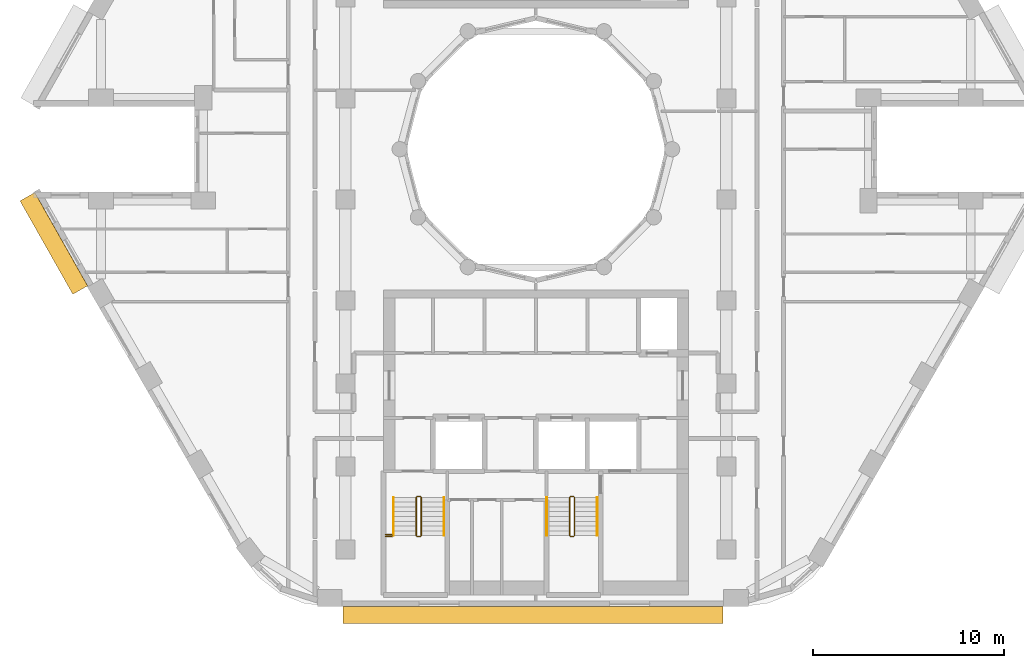
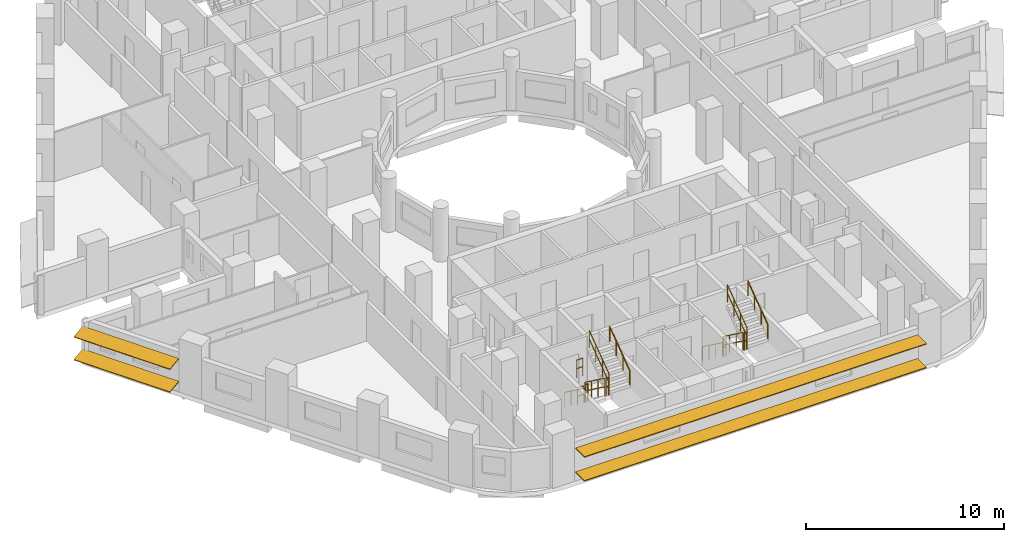
# One storey, part 12 of 14: 14 railings, 4 shading devices.
"""IFC4 building model written with IfcOpenShell, lengths in metres."""

from ifc_helpers import new_model, si_unit, direction, frame, origin, origin_2d, place, context, subcontext, project, spatial, rectangle, circle, extrude, material, material_profile, profile_set, type_object, element, save


model = new_model("IFC4")

# Units and contexts
model_context = context("Model", 3, precision=1e-05, world=origin(), true_north=direction((0.0, 1.0)))
body_context = subcontext(model_context, "Body", "Model", "MODEL_VIEW")
ifc_project = project(units=[si_unit("LENGTHUNIT", "METRE"), si_unit("AREAUNIT", "SQUARE_METRE"), si_unit("VOLUMEUNIT", "CUBIC_METRE"), si_unit("PLANEANGLEUNIT", "RADIAN"), si_unit("MASSUNIT", "GRAM", prefix="KILO")], contexts=[model_context])

# Site, building, storey
site_placement = place(None, origin())
site = spatial("IfcSite", under=ifc_project, at=site_placement, CompositionType="ELEMENT")
building_placement = place(site_placement, origin())
building = spatial("IfcBuilding", under=site, at=building_placement, Name="Nakaniwa Court", CompositionType="ELEMENT")
storey_placement = place(building_placement, frame((0.0, 0.0, 160.199951171875)))
storey = spatial("IfcBuildingStorey", under=building, at=storey_placement, Name="L42", CompositionType="ELEMENT", Elevation=160.199951171875)

# Shading devices
ifc_material_1 = material(Name="Perforated charcoal ceramic louvre blade")
ifc_material_profile = material_profile(ifc_material_1, rectangle(XDim=0.89990234375, YDim=0.050048828125, at=origin_2d()), Name="Perforated ceramic louvre blade")
ifc_profile_set = profile_set([ifc_material_profile], Name="Perforated charcoal ceramic louvre blade")
shading_device_type = type_object("IfcShadingDeviceType", Name="Perforated ceramic louvre blade", PredefinedType="JALOUSIE", material=ifc_profile_set)
for number, where, z_axis, x_axis, name in (
    (1, (53.31689453125, 77.5078125, 0.550048828125), (0.49253187421, -0.870294405869, 0.0), (0.862649339692, 0.488205247786, 0.132256390257), "L42 perforated ceramic louvre blade w20 1"),
    (2, (53.31689453125, 77.5078125, 1.955810546875), (0.49253187421, -0.870294405869, 0.0), (0.862649339692, 0.488205247786, 0.132256390257), "L42 perforated ceramic louvre blade w20 2"),
):
    element("IfcShadingDevice", number, at=place(storey_placement, frame(where, z_axis=z_axis, x_axis=x_axis)), inside=storey, type_object=shading_device_type, Name=name, PredefinedType="JALOUSIE", context=body_context, shape_type="SweptSolid", body=[
        extrude(rectangle(XDim=0.89990234375, YDim=0.050048828125, at=origin_2d()), origin(), (0.0, 0.0, 1.0), 5.62646484375),
    ])
for number, where, z_axis, x_axis, name in (
    (3, (69.871337890625, 55.550048828125, 0.550048828125), (1.0, 0.0, 0.0), (0.0, 1.0, 0.0), "L42 perforated ceramic louvre blade w26 1"),
    (4, (69.871337890625, 55.550048828125, 2.01513671875), (1.0, 0.0, 0.0), (0.0, 1.0, 0.0), "L42 perforated ceramic louvre blade w26 2"),
):
    element("IfcShadingDevice", number, at=place(storey_placement, frame(where, z_axis=z_axis, x_axis=x_axis)), inside=storey, type_object=shading_device_type, Name=name, PredefinedType="JALOUSIE", context=body_context, shape_type="SweptSolid", body=[
        extrude(rectangle(XDim=0.89990234375, YDim=0.050048828125, at=origin_2d()), origin(), (0.0, 0.0, 1.0), 19.939697265625),
    ])

# Railings
ifc_material_2 = material(Name="Black powder coated steel guard", Category="steel")
railing_type_1 = type_object("IfcRailingType", Name="Stair guard 1100", PredefinedType="GUARDRAIL", material=ifc_material_2)
railing_1_placement = place(storey_placement, frame((73.72509765625, 61.72509765625, 0.183349609375)))
element("IfcRailing", 5, at=railing_1_placement, inside=storey, type_object=railing_type_1, Name="L42 ST3 stair guard 1", PredefinedType="GUARDRAIL", context=body_context, shape_type="SweptSolid", body=[
    extrude(circle(Radius=0.02392578125, at=origin_2d()), frame((0.0, 0.0, 1.076171875), z_axis=(0.0, -0.806379959628, 0.591397802423), x_axis=(1.0, 0.0, 0.0)), (0.0, 0.0, 1.0), 2.480224609375),
    extrude(circle(Radius=0.02392578125, at=origin_2d()), frame((0.0, 0.0, 0.550048828125), z_axis=(0.0, -0.806379959628, 0.591397802423), x_axis=(1.0, 0.0, 0.0)), (0.0, 0.0, 1.0), 2.480224609375),
    extrude(circle(Radius=0.02099609375, at=origin_2d()), origin(), (0.0, 0.0, 1.0), 1.052001953125),
    extrude(circle(Radius=0.02099609375, at=origin_2d()), frame((0.0, -0.666748046875, 0.489013671875)), (0.0, 0.0, 1.0), 1.052001953125),
    extrude(circle(Radius=0.02099609375, at=origin_2d()), frame((0.0, -1.333251953125, 0.977783203125)), (0.0, 0.0, 1.0), 1.052001953125),
    extrude(circle(Radius=0.02099609375, at=origin_2d()), frame((0.0, -2.0, 1.466796875)), (0.0, 0.0, 1.0), 1.052001953125),
])
railing_2_placement = place(storey_placement, frame((73.77490234375, 59.675048828125, 1.650146484375)))
element("IfcRailing", 6, at=railing_2_placement, inside=storey, type_object=railing_type_1, Name="L42 ST3 stair guard 2", PredefinedType="GUARDRAIL", context=body_context, shape_type="SweptSolid", body=[
    extrude(circle(Radius=0.02392578125, at=origin_2d()), frame((0.0, 0.0, 1.076171875), z_axis=(1.0, 0.0, 0.0), x_axis=(0.0, 1.0, 0.0)), (0.0, 0.0, 1.0), 0.150146484375),
    extrude(circle(Radius=0.02392578125, at=origin_2d()), frame((0.0, 0.0, 0.550048828125), z_axis=(1.0, 0.0, 0.0), x_axis=(0.0, 1.0, 0.0)), (0.0, 0.0, 1.0), 0.150146484375),
    extrude(circle(Radius=0.02099609375, at=origin_2d()), origin(), (0.0, 0.0, 1.0), 1.052001953125),
    extrude(circle(Radius=0.02099609375, at=origin_2d()), frame((0.150146484375, 0.0, 0.0)), (0.0, 0.0, 1.0), 1.052001953125),
])
railing_3_placement = place(storey_placement, frame((73.97509765625, 59.72509765625, 1.83349609375)))
element("IfcRailing", 7, at=railing_3_placement, inside=storey, type_object=railing_type_1, Name="L42 ST3 stair guard 3", PredefinedType="GUARDRAIL", context=body_context, shape_type="SweptSolid", body=[
    extrude(circle(Radius=0.02392578125, at=origin_2d()), frame((0.0, 0.0, 1.076171875), z_axis=(0.0, 0.806426902644, 0.591333789573), x_axis=(-1.0, 0.0, 0.0)), (0.0, 0.0, 1.0), 2.47998046875),
    extrude(circle(Radius=0.02392578125, at=origin_2d()), frame((0.0, 0.0, 0.550048828125), z_axis=(0.0, 0.806426902644, 0.591333789573), x_axis=(-1.0, 0.0, 0.0)), (0.0, 0.0, 1.0), 2.47998046875),
    extrude(circle(Radius=0.02099609375, at=origin_2d()), origin(), (0.0, 0.0, 1.0), 1.052001953125),
    extrude(circle(Radius=0.02099609375, at=origin_2d()), frame((0.0, 0.666748046875, 0.48876953125)), (0.0, 0.0, 1.0), 1.052001953125),
    extrude(circle(Radius=0.02099609375, at=origin_2d()), frame((0.0, 1.333251953125, 0.977783203125)), (0.0, 0.0, 1.0), 1.052001953125),
    extrude(circle(Radius=0.02099609375, at=origin_2d()), frame((0.0, 2.0, 1.466552734375)), (0.0, 0.0, 1.0), 1.052001953125),
])
railing_4_placement = place(storey_placement, frame((73.77490234375, 61.77490234375, 0.0)))
element("IfcRailing", 8, at=railing_4_placement, inside=storey, type_object=railing_type_1, Name="L42 ST3 stair guard 4", PredefinedType="GUARDRAIL", context=body_context, shape_type="SweptSolid", body=[
    extrude(circle(Radius=0.02392578125, at=origin_2d()), frame((0.0, 0.0, 1.076171875), z_axis=(1.0, 0.0, 0.0), x_axis=(0.0, 1.0, 0.0)), (0.0, 0.0, 1.0), 0.150146484375),
    extrude(circle(Radius=0.02392578125, at=origin_2d()), frame((0.0, 0.0, 0.550048828125), z_axis=(1.0, 0.0, 0.0), x_axis=(0.0, 1.0, 0.0)), (0.0, 0.0, 1.0), 0.150146484375),
    extrude(circle(Radius=0.02099609375, at=origin_2d()), origin(), (0.0, 0.0, 1.0), 1.052001953125),
    extrude(circle(Radius=0.02099609375, at=origin_2d()), frame((0.150146484375, 0.0, 0.0)), (0.0, 0.0, 1.0), 1.052001953125),
])
for number, where, name in (
    (9, (72.125, 59.675048828125, 1.650146484375), "L42 ST3 landing side guard 1W"),
    (10, (72.125, 59.77490234375, 3.300048828125), "L42 ST3 floor edge guard 1W"),
):
    element("IfcRailing", number, at=place(storey_placement, frame(where)), inside=storey, type_object=railing_type_1, Name=name, PredefinedType="GUARDRAIL", context=body_context, shape_type="SweptSolid", body=[
        extrude(circle(Radius=0.02392578125, at=origin_2d()), frame((0.0, 0.0, 1.076171875), z_axis=(1.0, 0.0, 0.0), x_axis=(0.0, 1.0, 0.0)), (0.0, 0.0, 1.0), 0.35009765625),
        extrude(circle(Radius=0.02392578125, at=origin_2d()), frame((0.0, 0.0, 0.550048828125), z_axis=(1.0, 0.0, 0.0), x_axis=(0.0, 1.0, 0.0)), (0.0, 0.0, 1.0), 0.35009765625),
        extrude(circle(Radius=0.02099609375, at=origin_2d()), origin(), (0.0, 0.0, 1.0), 1.052001953125),
        extrude(circle(Radius=0.02099609375, at=origin_2d()), frame((0.35009765625, 0.0, 0.0)), (0.0, 0.0, 1.0), 1.052001953125),
    ])
railing_5_placement = place(storey_placement, frame((81.77490234375, 61.72509765625, 0.183349609375)))
element("IfcRailing", 11, at=railing_5_placement, inside=storey, type_object=railing_type_1, Name="L42 ST4 stair guard 1", PredefinedType="GUARDRAIL", context=body_context, shape_type="SweptSolid", body=[
    extrude(circle(Radius=0.02392578125, at=origin_2d()), frame((0.0, 0.0, 1.076171875), z_axis=(0.0, -0.806379959628, 0.591397802423), x_axis=(1.0, 0.0, 0.0)), (0.0, 0.0, 1.0), 2.480224609375),
    extrude(circle(Radius=0.02392578125, at=origin_2d()), frame((0.0, 0.0, 0.550048828125), z_axis=(0.0, -0.806379959628, 0.591397802423), x_axis=(1.0, 0.0, 0.0)), (0.0, 0.0, 1.0), 2.480224609375),
    extrude(circle(Radius=0.02099609375, at=origin_2d()), origin(), (0.0, 0.0, 1.0), 1.052001953125),
    extrude(circle(Radius=0.02099609375, at=origin_2d()), frame((0.0, -0.666748046875, 0.489013671875)), (0.0, 0.0, 1.0), 1.052001953125),
    extrude(circle(Radius=0.02099609375, at=origin_2d()), frame((0.0, -1.333251953125, 0.977783203125)), (0.0, 0.0, 1.0), 1.052001953125),
    extrude(circle(Radius=0.02099609375, at=origin_2d()), frame((0.0, -2.0, 1.466796875)), (0.0, 0.0, 1.0), 1.052001953125),
])
railing_6_placement = place(storey_placement, frame((81.824951171875, 59.675048828125, 1.650146484375)))
element("IfcRailing", 12, at=railing_6_placement, inside=storey, type_object=railing_type_1, Name="L42 ST4 stair guard 2", PredefinedType="GUARDRAIL", context=body_context, shape_type="SweptSolid", body=[
    extrude(circle(Radius=0.02392578125, at=origin_2d()), frame((0.0, 0.0, 1.076171875), z_axis=(1.0, 0.0, 0.0), x_axis=(0.0, 1.0, 0.0)), (0.0, 0.0, 1.0), 0.150146484375),
    extrude(circle(Radius=0.02392578125, at=origin_2d()), frame((0.0, 0.0, 0.550048828125), z_axis=(1.0, 0.0, 0.0), x_axis=(0.0, 1.0, 0.0)), (0.0, 0.0, 1.0), 0.150146484375),
    extrude(circle(Radius=0.02099609375, at=origin_2d()), origin(), (0.0, 0.0, 1.0), 1.052001953125),
    extrude(circle(Radius=0.02099609375, at=origin_2d()), frame((0.150146484375, 0.0, 0.0)), (0.0, 0.0, 1.0), 1.052001953125),
])
railing_7_placement = place(storey_placement, frame((82.02490234375, 59.72509765625, 1.83349609375)))
element("IfcRailing", 13, at=railing_7_placement, inside=storey, type_object=railing_type_1, Name="L42 ST4 stair guard 3", PredefinedType="GUARDRAIL", context=body_context, shape_type="SweptSolid", body=[
    extrude(circle(Radius=0.02392578125, at=origin_2d()), frame((0.0, 0.0, 1.076171875), z_axis=(0.0, 0.806426902644, 0.591333789573), x_axis=(-1.0, 0.0, 0.0)), (0.0, 0.0, 1.0), 2.47998046875),
    extrude(circle(Radius=0.02392578125, at=origin_2d()), frame((0.0, 0.0, 0.550048828125), z_axis=(0.0, 0.806426902644, 0.591333789573), x_axis=(-1.0, 0.0, 0.0)), (0.0, 0.0, 1.0), 2.47998046875),
    extrude(circle(Radius=0.02099609375, at=origin_2d()), origin(), (0.0, 0.0, 1.0), 1.052001953125),
    extrude(circle(Radius=0.02099609375, at=origin_2d()), frame((0.0, 0.666748046875, 0.48876953125)), (0.0, 0.0, 1.0), 1.052001953125),
    extrude(circle(Radius=0.02099609375, at=origin_2d()), frame((0.0, 1.333251953125, 0.977783203125)), (0.0, 0.0, 1.0), 1.052001953125),
    extrude(circle(Radius=0.02099609375, at=origin_2d()), frame((0.0, 2.0, 1.466552734375)), (0.0, 0.0, 1.0), 1.052001953125),
])
railing_8_placement = place(storey_placement, frame((81.824951171875, 61.77490234375, 0.0)))
element("IfcRailing", 14, at=railing_8_placement, inside=storey, type_object=railing_type_1, Name="L42 ST4 stair guard 4", PredefinedType="GUARDRAIL", context=body_context, shape_type="SweptSolid", body=[
    extrude(circle(Radius=0.02392578125, at=origin_2d()), frame((0.0, 0.0, 1.076171875), z_axis=(1.0, 0.0, 0.0), x_axis=(0.0, 1.0, 0.0)), (0.0, 0.0, 1.0), 0.150146484375),
    extrude(circle(Radius=0.02392578125, at=origin_2d()), frame((0.0, 0.0, 0.550048828125), z_axis=(1.0, 0.0, 0.0), x_axis=(0.0, 1.0, 0.0)), (0.0, 0.0, 1.0), 0.150146484375),
    extrude(circle(Radius=0.02099609375, at=origin_2d()), origin(), (0.0, 0.0, 1.0), 1.052001953125),
    extrude(circle(Radius=0.02099609375, at=origin_2d()), frame((0.150146484375, 0.0, 0.0)), (0.0, 0.0, 1.0), 1.052001953125),
])
ifc_material_3 = material(Name="Black powder coated steel handrail", Category="steel")
railing_type_2 = type_object("IfcRailingType", Name="Stair handrail 900", PredefinedType="HANDRAIL", material=ifc_material_3)
railing_9_placement = place(storey_placement, frame((72.52490234375, 61.72509765625, 0.183349609375)))
element("IfcRailing", 15, at=railing_9_placement, inside=storey, type_object=railing_type_2, Name="L42 ST3 stair handrail 1", PredefinedType="HANDRAIL", context=body_context, shape_type="SweptSolid", body=[
    extrude(circle(Radius=0.02392578125, at=origin_2d()), frame((0.0, 0.0, 0.8759765625), z_axis=(0.0, -0.806379959628, 0.591397802423), x_axis=(1.0, 0.0, 0.0)), (0.0, 0.0, 1.0), 2.480224609375),
    extrude(circle(Radius=0.02099609375, at=origin_2d()), origin(), (0.0, 0.0, 1.0), 0.851806640625),
    extrude(circle(Radius=0.02099609375, at=origin_2d()), frame((0.0, -0.666748046875, 0.489013671875)), (0.0, 0.0, 1.0), 0.851806640625),
    extrude(circle(Radius=0.02099609375, at=origin_2d()), frame((0.0, -1.333251953125, 0.977783203125)), (0.0, 0.0, 1.0), 0.851806640625),
    extrude(circle(Radius=0.02099609375, at=origin_2d()), frame((0.0, -2.0, 1.466796875)), (0.0, 0.0, 1.0), 0.851806640625),
])
railing_10_placement = place(storey_placement, frame((75.175048828125, 59.72509765625, 1.83349609375)))
element("IfcRailing", 16, at=railing_10_placement, inside=storey, type_object=railing_type_2, Name="L42 ST3 stair handrail 2", PredefinedType="HANDRAIL", context=body_context, shape_type="SweptSolid", body=[
    extrude(circle(Radius=0.02392578125, at=origin_2d()), frame((0.0, 0.0, 0.8759765625), z_axis=(0.0, 0.806426902644, 0.591333789573), x_axis=(-1.0, 0.0, 0.0)), (0.0, 0.0, 1.0), 2.47998046875),
    extrude(circle(Radius=0.02099609375, at=origin_2d()), origin(), (0.0, 0.0, 1.0), 0.851806640625),
    extrude(circle(Radius=0.02099609375, at=origin_2d()), frame((0.0, 0.666748046875, 0.48876953125)), (0.0, 0.0, 1.0), 0.851806640625),
    extrude(circle(Radius=0.02099609375, at=origin_2d()), frame((0.0, 1.333251953125, 0.977783203125)), (0.0, 0.0, 1.0), 0.851806640625),
    extrude(circle(Radius=0.02099609375, at=origin_2d()), frame((0.0, 2.0, 1.466552734375)), (0.0, 0.0, 1.0), 0.851806640625),
])
railing_11_placement = place(storey_placement, frame((80.574951171875, 61.72509765625, 0.183349609375)))
element("IfcRailing", 17, at=railing_11_placement, inside=storey, type_object=railing_type_2, Name="L42 ST4 stair handrail 1", PredefinedType="HANDRAIL", context=body_context, shape_type="SweptSolid", body=[
    extrude(circle(Radius=0.02392578125, at=origin_2d()), frame((0.0, 0.0, 0.8759765625), z_axis=(0.0, -0.806379959628, 0.591397802423), x_axis=(1.0, 0.0, 0.0)), (0.0, 0.0, 1.0), 2.480224609375),
    extrude(circle(Radius=0.02099609375, at=origin_2d()), origin(), (0.0, 0.0, 1.0), 0.851806640625),
    extrude(circle(Radius=0.02099609375, at=origin_2d()), frame((0.0, -0.666748046875, 0.489013671875)), (0.0, 0.0, 1.0), 0.851806640625),
    extrude(circle(Radius=0.02099609375, at=origin_2d()), frame((0.0, -1.333251953125, 0.977783203125)), (0.0, 0.0, 1.0), 0.851806640625),
    extrude(circle(Radius=0.02099609375, at=origin_2d()), frame((0.0, -2.0, 1.466796875)), (0.0, 0.0, 1.0), 0.851806640625),
])
railing_12_placement = place(storey_placement, frame((83.22509765625, 59.72509765625, 1.83349609375)))
element("IfcRailing", 18, at=railing_12_placement, inside=storey, type_object=railing_type_2, Name="L42 ST4 stair handrail 2", PredefinedType="HANDRAIL", context=body_context, shape_type="SweptSolid", body=[
    extrude(circle(Radius=0.02392578125, at=origin_2d()), frame((0.0, 0.0, 0.8759765625), z_axis=(0.0, 0.806426902644, 0.591333789573), x_axis=(-1.0, 0.0, 0.0)), (0.0, 0.0, 1.0), 2.47998046875),
    extrude(circle(Radius=0.02099609375, at=origin_2d()), origin(), (0.0, 0.0, 1.0), 0.851806640625),
    extrude(circle(Radius=0.02099609375, at=origin_2d()), frame((0.0, 0.666748046875, 0.48876953125)), (0.0, 0.0, 1.0), 0.851806640625),
    extrude(circle(Radius=0.02099609375, at=origin_2d()), frame((0.0, 1.333251953125, 0.977783203125)), (0.0, 0.0, 1.0), 0.851806640625),
    extrude(circle(Radius=0.02099609375, at=origin_2d()), frame((0.0, 2.0, 1.466552734375)), (0.0, 0.0, 1.0), 0.851806640625),
])

save(model, "model.ifc")
